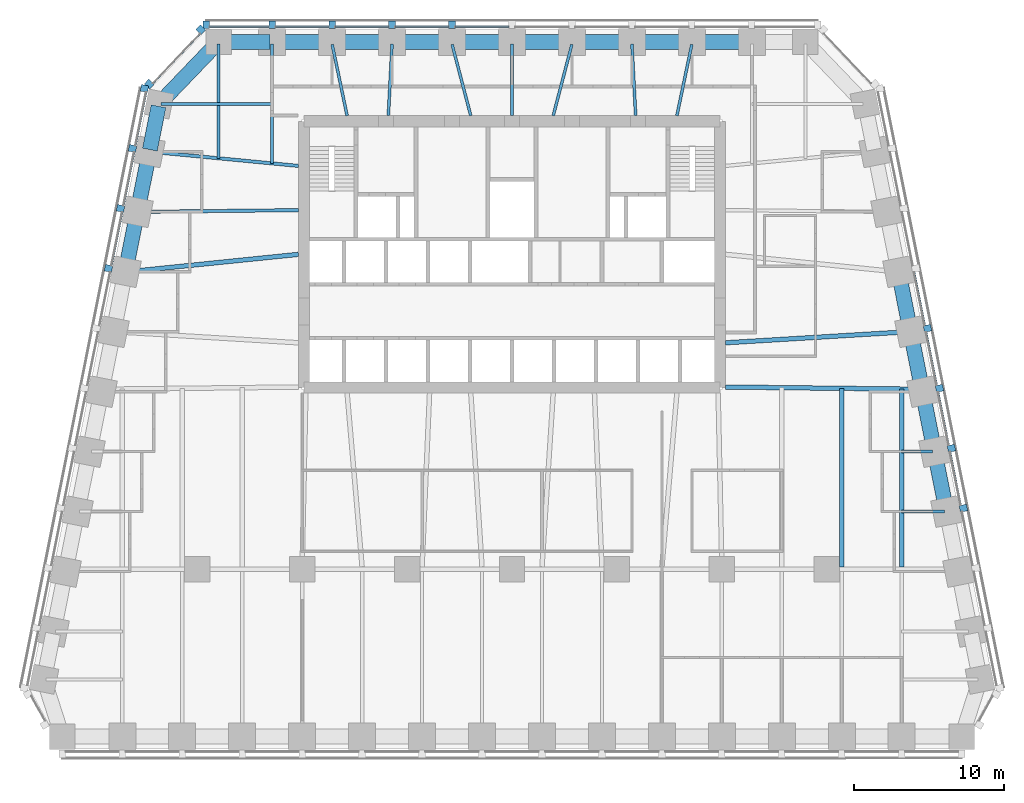
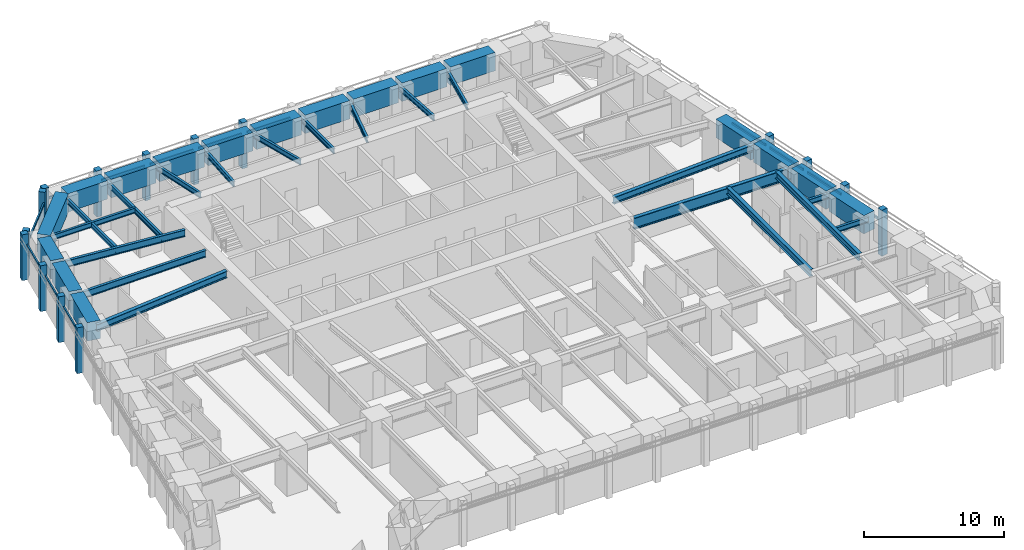
# One storey, part 3 of 10: 36 beams, 28 members, 4 elements without a shape of their own.
"""IFC4 building model written with IfcOpenShell, lengths in metres."""

from ifc_helpers import new_model, si_unit, direction, frame, origin, origin_2d, place, context, subcontext, project, spatial, rectangle, i_section, extrude, material, material_profile, profile_set, type_object, element, aggregate, save


model = new_model("IFC4")

# Units and contexts
model_context = context("Model", 3, precision=1e-05, world=origin(), true_north=direction((0.0, 1.0)))
body_context = subcontext(model_context, "Body", "Model", "MODEL_VIEW")
ifc_project = project(units=[si_unit("LENGTHUNIT", "METRE"), si_unit("AREAUNIT", "SQUARE_METRE"), si_unit("VOLUMEUNIT", "CUBIC_METRE"), si_unit("PLANEANGLEUNIT", "RADIAN"), si_unit("MASSUNIT", "GRAM", prefix="KILO")], contexts=[model_context])

# Site, building, storey
site_placement = place(None, origin())
site = spatial("IfcSite", under=ifc_project, at=site_placement, CompositionType="ELEMENT")
building_placement = place(site_placement, origin())
building = spatial("IfcBuilding", under=site, at=building_placement, Name="Isbrekke Arena Tower", CompositionType="ELEMENT")
storey_placement = place(building_placement, frame((0.0, 0.0, 159.0)))
storey = spatial("IfcBuildingStorey", under=building, at=storey_placement, Name="L36", CompositionType="ELEMENT", Elevation=159.0)

# Beams
ifc_material_1 = material(Name="Steel S355", Category="steel")
ifc_material_profile_1 = material_profile(ifc_material_1, i_section(OverallWidth=0.219970703125, OverallDepth=0.60009765625, WebThickness=0.011962890625, FlangeThickness=0.01904296875, FilletRadius=0.02392578125, at=origin_2d()), Name="IPE 600")
ifc_profile_set_1 = profile_set([ifc_material_profile_1], Name="Steel S355")
beam_type_1 = type_object("IfcBeamType", Name="B1 IPE 600", PredefinedType="BEAM", material=ifc_profile_set_1)
beam_1_placement = place(storey_placement, frame((-24.030517578125, 21.837158203125, 3.550048828125), z_axis=(0.995439798606, -0.095391862082, 0.0), x_axis=(0.095391862082, 0.995439798606, 0.0)))
element("IfcBeam", 1, at=beam_1_placement, inside=storey, type_object=beam_type_1, Name="B1 beam E-W02 L36", PredefinedType="BEAM", context=body_context, shape_type="SweptSolid", body=[
    extrude(i_section(OverallWidth=0.219970703125, OverallDepth=0.60009765625, WebThickness=0.011962890625, FlangeThickness=0.01904296875, FilletRadius=0.02392578125, at=origin_2d()), origin(), (0.0, 0.0, 1.0), 9.825439453125),
])
beam_2_placement = place(storey_placement, frame((-24.83984375, 17.838134765625, 3.550048828125), z_axis=(0.999944260169, 0.010558245831, 0.0), x_axis=(-0.010558245831, 0.999944260169, 0.0)))
element("IfcBeam", 2, at=beam_2_placement, inside=storey, type_object=beam_type_1, Name="B1 beam E-W03 L36", PredefinedType="BEAM", context=body_context, shape_type="SweptSolid", body=[
    extrude(i_section(OverallWidth=0.219970703125, OverallDepth=0.60009765625, WebThickness=0.011962890625, FlangeThickness=0.01904296875, FilletRadius=0.02392578125, at=origin_2d()), origin(), (0.0, 0.0, 1.0), 10.59033203125),
])
ifc_material_2 = material(Name="Steel S355", Category="steel")
ifc_material_profile_2 = material_profile(ifc_material_2, i_section(OverallWidth=0.18994140625, OverallDepth=0.449951171875, WebThickness=0.009521484375, FlangeThickness=0.0146484375, FilletRadius=0.02099609375, at=origin_2d()), Name="IPE 450")
ifc_profile_set_2 = profile_set([ifc_material_profile_2], Name="Steel S355")
beam_type_2 = type_object("IfcBeamType", Name="B2 IPE 450", PredefinedType="BEAM", material=ifc_profile_set_2)
beam_3_placement = place(storey_placement, frame((28.841064453125, -2.161865234375, 3.625), z_axis=(-1.0, 0.0, 0.0), x_axis=(0.0, -1.0, 0.0)))
element("IfcBeam", 3, at=beam_3_placement, inside=storey, type_object=beam_type_2, Name="B2 beam E-E04 L36", PredefinedType="BEAM", context=body_context, shape_type="SweptSolid", body=[
    extrude(i_section(OverallWidth=0.18994140625, OverallDepth=0.449951171875, WebThickness=0.009521484375, FlangeThickness=0.0146484375, FilletRadius=0.02099609375, at=origin_2d()), origin(), (0.0, 0.0, 1.0), 2.841064453125),
])
beam_4_placement = place(storey_placement, frame((28.041015625, 1.838134765625, 3.625), z_axis=(-1.0, 0.0, 0.0), x_axis=(0.0, -1.0, 0.0)))
element("IfcBeam", 4, at=beam_4_placement, inside=storey, type_object=beam_type_2, Name="B2 beam E-E05 L36", PredefinedType="BEAM", context=body_context, shape_type="SweptSolid", body=[
    extrude(i_section(OverallWidth=0.18994140625, OverallDepth=0.449951171875, WebThickness=0.009521484375, FlangeThickness=0.0146484375, FilletRadius=0.02099609375, at=origin_2d()), origin(), (0.0, 0.0, 1.0), 2.041015625),
])
beam_5_placement = place(storey_placement, frame((-23.40283203125, 25.029296875, 3.625), z_axis=(1.0, 0.0, 0.0), x_axis=(0.0, 1.0, 0.0)))
element("IfcBeam", 5, at=beam_5_placement, inside=storey, type_object=beam_type_2, Name="B2 beam E-W01 L36", PredefinedType="BEAM", context=body_context, shape_type="SweptSolid", body=[
    extrude(i_section(OverallWidth=0.18994140625, OverallDepth=0.449951171875, WebThickness=0.009521484375, FlangeThickness=0.0146484375, FilletRadius=0.02099609375, at=origin_2d()), origin(), (0.0, 0.0, 1.0), 7.40283203125),
])
ifc_material_3 = material(Name="Steel S355", Category="steel")
ifc_material_profile_3 = material_profile(ifc_material_3, i_section(OverallWidth=0.18994140625, OverallDepth=0.449951171875, WebThickness=0.009521484375, FlangeThickness=0.0146484375, FilletRadius=0.02099609375, at=origin_2d()), Name="IPE 450")
ifc_profile_set_3 = profile_set([ifc_material_profile_3], Name="Steel S355")
beam_type_3 = type_object("IfcBeamType", Name="B3 IPE 450", PredefinedType="BEAM", material=ifc_profile_set_3)
beam_6_placement = place(storey_placement, frame((-16.0, 29.02490234375, 3.625), z_axis=(0.0, -1.0, 0.0), x_axis=(1.0, 0.0, 0.0)))
element("IfcBeam", 6, at=beam_6_placement, inside=storey, type_object=beam_type_3, Name="B3 beam N-N10 L36", PredefinedType="BEAM", context=body_context, shape_type="SweptSolid", body=[
    extrude(i_section(OverallWidth=0.18994140625, OverallDepth=0.449951171875, WebThickness=0.009521484375, FlangeThickness=0.0146484375, FilletRadius=0.02099609375, at=origin_2d()), origin(), (0.0, 0.0, 1.0), 7.957275390625),
])
beam_7_placement = place(storey_placement, frame((-19.574951171875, 29.02490234375, 3.625), z_axis=(0.0, -1.0, 0.0), x_axis=(1.0, 0.0, 0.0)))
element("IfcBeam", 7, at=beam_7_placement, inside=storey, type_object=beam_type_3, Name="B3 beam N-N11 L36", PredefinedType="BEAM", context=body_context, shape_type="SweptSolid", body=[
    extrude(i_section(OverallWidth=0.18994140625, OverallDepth=0.449951171875, WebThickness=0.009521484375, FlangeThickness=0.0146484375, FilletRadius=0.02099609375, at=origin_2d()), origin(), (0.0, 0.0, 1.0), 7.61474609375),
])
beam_8_placement = place(storey_placement, frame((11.99609375, 29.005859375, 3.625), z_axis=(-0.20499748459, -0.978762499952, 0.0), x_axis=(0.978762499952, -0.20499748459, 0.0)))
element("IfcBeam", 8, at=beam_8_placement, inside=storey, type_object=beam_type_3, Name="B3 beam N-N03 L36", PredefinedType="BEAM", context=body_context, shape_type="SweptSolid", body=[
    extrude(i_section(OverallWidth=0.18994140625, OverallDepth=0.449951171875, WebThickness=0.009521484375, FlangeThickness=0.0146484375, FilletRadius=0.02099609375, at=origin_2d()), origin(), (0.0, 0.0, 1.0), 4.859130859375),
])
beam_9_placement = place(storey_placement, frame((8.000244140625, 29.02001953125, 3.625), z_axis=(0.052287879538, -0.998632053187, 0.0), x_axis=(0.998632053187, 0.052287879538, 0.0)))
element("IfcBeam", 9, at=beam_9_placement, inside=storey, type_object=beam_type_3, Name="B3 beam N-N04 L36", PredefinedType="BEAM", context=body_context, shape_type="SweptSolid", body=[
    extrude(i_section(OverallWidth=0.18994140625, OverallDepth=0.449951171875, WebThickness=0.009521484375, FlangeThickness=0.0146484375, FilletRadius=0.02099609375, at=origin_2d()), origin(), (0.0, 0.0, 1.0), 4.776611328125),
])
beam_10_placement = place(storey_placement, frame((3.993896484375, 29.001708984375, 3.625), z_axis=(-0.253245319824, -0.967402092197, 0.0), x_axis=(0.967402092197, -0.253245319824, 0.0)))
element("IfcBeam", 10, at=beam_10_placement, inside=storey, type_object=beam_type_3, Name="B3 beam N-N05 L36", PredefinedType="BEAM", context=body_context, shape_type="SweptSolid", body=[
    extrude(i_section(OverallWidth=0.18994140625, OverallDepth=0.449951171875, WebThickness=0.009521484375, FlangeThickness=0.0146484375, FilletRadius=0.02099609375, at=origin_2d()), origin(), (0.0, 0.0, 1.0), 4.911865234375),
])
beam_11_placement = place(storey_placement, frame((0.0, 29.02490234375, 3.625), z_axis=(0.0, -1.0, 0.0), x_axis=(1.0, 0.0, 0.0)))
element("IfcBeam", 11, at=beam_11_placement, inside=storey, type_object=beam_type_3, Name="B3 beam N-N06 L36", PredefinedType="BEAM", context=body_context, shape_type="SweptSolid", body=[
    extrude(i_section(OverallWidth=0.18994140625, OverallDepth=0.449951171875, WebThickness=0.009521484375, FlangeThickness=0.0146484375, FilletRadius=0.02099609375, at=origin_2d()), origin(), (0.0, 0.0, 1.0), 4.77490234375),
])
beam_12_placement = place(storey_placement, frame((-3.993896484375, 29.001708984375, 3.625), z_axis=(0.253245319824, -0.967402092197, 0.0), x_axis=(0.967402092197, 0.253245319824, 0.0)))
element("IfcBeam", 12, at=beam_12_placement, inside=storey, type_object=beam_type_3, Name="B3 beam N-N07 L36", PredefinedType="BEAM", context=body_context, shape_type="SweptSolid", body=[
    extrude(i_section(OverallWidth=0.18994140625, OverallDepth=0.449951171875, WebThickness=0.009521484375, FlangeThickness=0.0146484375, FilletRadius=0.02099609375, at=origin_2d()), origin(), (0.0, 0.0, 1.0), 4.911865234375),
])
beam_13_placement = place(storey_placement, frame((-8.000244140625, 29.02001953125, 3.625), z_axis=(-0.052287879538, -0.998632053187, 0.0), x_axis=(0.998632053187, -0.052287879538, 0.0)))
element("IfcBeam", 13, at=beam_13_placement, inside=storey, type_object=beam_type_3, Name="B3 beam N-N08 L36", PredefinedType="BEAM", context=body_context, shape_type="SweptSolid", body=[
    extrude(i_section(OverallWidth=0.18994140625, OverallDepth=0.449951171875, WebThickness=0.009521484375, FlangeThickness=0.0146484375, FilletRadius=0.02099609375, at=origin_2d()), origin(), (0.0, 0.0, 1.0), 4.776611328125),
])
beam_14_placement = place(storey_placement, frame((-11.99609375, 29.005859375, 3.625), z_axis=(0.20499748459, -0.978762499952, 0.0), x_axis=(0.978762499952, 0.20499748459, 0.0)))
element("IfcBeam", 14, at=beam_14_placement, inside=storey, type_object=beam_type_3, Name="B3 beam N-N09 L36", PredefinedType="BEAM", context=body_context, shape_type="SweptSolid", body=[
    extrude(i_section(OverallWidth=0.18994140625, OverallDepth=0.449951171875, WebThickness=0.009521484375, FlangeThickness=0.0146484375, FilletRadius=0.02099609375, at=origin_2d()), origin(), (0.0, 0.0, 1.0), 4.859130859375),
])
ifc_material_4 = material(Name="Steel S355", Category="steel")
ifc_material_profile_4 = material_profile(ifc_material_4, i_section(OverallWidth=0.300048828125, OverallDepth=0.60009765625, WebThickness=0.015380859375, FlangeThickness=0.030029296875, FilletRadius=0.027099609375, at=origin_2d()), Name="HEB 600")
ifc_profile_set_4 = profile_set([ifc_material_profile_4], Name="Steel S355")
beam_type_4 = type_object("IfcBeamType", Name="B7 HEB 600", PredefinedType="BEAM", material=ifc_profile_set_4)
beam_15_placement = place(storey_placement, frame((22.0, -5.84912109375, 3.550048828125), z_axis=(0.0, 1.0, 0.0), x_axis=(-1.0, 0.0, 0.0)))
element("IfcBeam", 15, at=beam_15_placement, inside=storey, type_object=beam_type_4, Name="B7 beam C-M13 L36", PredefinedType="BEAM", context=body_context, shape_type="SweptSolid", body=[
    extrude(i_section(OverallWidth=0.300048828125, OverallDepth=0.60009765625, WebThickness=0.015380859375, FlangeThickness=0.030029296875, FilletRadius=0.027099609375, at=origin_2d()), origin(), (0.0, 0.0, 1.0), 11.91064453125),
])
beam_16_placement = place(storey_placement, frame((26.0, -5.84912109375, 3.550048828125), z_axis=(0.0, 1.0, 0.0), x_axis=(-1.0, 0.0, 0.0)))
element("IfcBeam", 16, at=beam_16_placement, inside=storey, type_object=beam_type_4, Name="B7 beam C-M14 L36", PredefinedType="BEAM", context=body_context, shape_type="SweptSolid", body=[
    extrude(i_section(OverallWidth=0.300048828125, OverallDepth=0.60009765625, WebThickness=0.015380859375, FlangeThickness=0.030029296875, FilletRadius=0.027099609375, at=origin_2d()), origin(), (0.0, 0.0, 1.0), 11.864990234375),
])
beam_17_placement = place(storey_placement, frame((26.431884765625, 9.837646484375, 3.550048828125), z_axis=(-0.998172191876, -0.060434057993, 0.0), x_axis=(0.060434057993, -0.998172191876, 0.0)))
element("IfcBeam", 17, at=beam_17_placement, inside=storey, type_object=beam_type_4, Name="B7 beam E-E07 L36", PredefinedType="BEAM", context=body_context, shape_type="SweptSolid", body=[
    extrude(i_section(OverallWidth=0.300048828125, OverallDepth=0.60009765625, WebThickness=0.015380859375, FlangeThickness=0.030029296875, FilletRadius=0.027099609375, at=origin_2d()), origin(), (0.0, 0.0, 1.0), 12.2041015625),
])
beam_18_placement = place(storey_placement, frame((-25.6259765625, 13.83984375, 3.550048828125), z_axis=(0.994839949319, 0.10145676537, 0.0), x_axis=(-0.10145676537, 0.994839949319, 0.0)))
element("IfcBeam", 18, at=beam_18_placement, inside=storey, type_object=beam_type_4, Name="B7 beam E-W04 L36", PredefinedType="BEAM", context=body_context, shape_type="SweptSolid", body=[
    extrude(i_section(OverallWidth=0.300048828125, OverallDepth=0.60009765625, WebThickness=0.015380859375, FlangeThickness=0.030029296875, FilletRadius=0.027099609375, at=origin_2d()), origin(), (0.0, 0.0, 1.0), 11.43505859375),
])

# Curtain wall, members
ifc_material_5 = material(Name="Glazed aluminium curtain wall", Category="aluminium")
curtain_wall_type = type_object("IfcCurtainWallType", Name="CWM TOWER CURTAIN WALL MID ZONE", PredefinedType="USERDEFINED", material=ifc_material_5)
curtain_wall_1_placement = place(storey_placement, origin())
curtain_wall_1 = element("IfcCurtainWall", 19, at=curtain_wall_1_placement, inside=storey, type_object=curtain_wall_type, Name="CWM curtain wall L36-E", ObjectType="TOWER CURTAIN WALL MID ZONE", PredefinedType="USERDEFINED")
ifc_material_6 = material(Name="Aluminium mullion, pale brick slip cladding", Category="masonry")
ifc_material_profile_5 = material_profile(ifc_material_6, rectangle(XDim=0.449951171875, YDim=0.5, at=origin_2d()), Name="PIER 450X500")
ifc_profile_set_5 = profile_set([ifc_material_profile_5], Name="Aluminium mullion, pale brick slip cladding")
member_type_1 = type_object("IfcMemberType", Name="CWM-M PIER MULLION 450 x 500", PredefinedType="MULLION", material=ifc_profile_set_5)
member_1_placement = place(storey_placement, frame((30.11865234375, -1.936279296875, 0.0), z_axis=(0.0, 0.0, 1.0), x_axis=(-0.196116135138, 0.980580675691, 0.0)))
member_1 = element("IfcMember", 20, at=member_1_placement, type_object=member_type_1, Name="CWM-M mullion 4", PredefinedType="MULLION", context=body_context, shape_type="SweptSolid", body=[
    extrude(rectangle(XDim=0.449951171875, YDim=0.5, at=origin_2d()), origin(), (0.0, 0.0, 1.0), 4.0),
])
member_2_placement = place(storey_placement, frame((29.318603515625, 2.063720703125, 0.0), z_axis=(0.0, 0.0, 1.0), x_axis=(-0.196116135138, 0.980580675691, 0.0)))
member_2 = element("IfcMember", 21, at=member_2_placement, type_object=member_type_1, Name="CWM-M mullion 5", PredefinedType="MULLION", context=body_context, shape_type="SweptSolid", body=[
    extrude(rectangle(XDim=0.449951171875, YDim=0.5, at=origin_2d()), origin(), (0.0, 0.0, 1.0), 4.0),
])
member_3_placement = place(storey_placement, frame((28.518798828125, 6.063720703125, 0.0), z_axis=(0.0, 0.0, 1.0), x_axis=(-0.196116135138, 0.980580675691, 0.0)))
member_3 = element("IfcMember", 22, at=member_3_placement, type_object=member_type_1, Name="CWM-M mullion 6", PredefinedType="MULLION", context=body_context, shape_type="SweptSolid", body=[
    extrude(rectangle(XDim=0.449951171875, YDim=0.5, at=origin_2d()), origin(), (0.0, 0.0, 1.0), 4.0),
])
member_4_placement = place(storey_placement, frame((27.71875, 10.063720703125, 0.0), z_axis=(0.0, 0.0, 1.0), x_axis=(-0.196116135138, 0.980580675691, 0.0)))
member_4 = element("IfcMember", 23, at=member_4_placement, type_object=member_type_1, Name="CWM-M mullion 7", PredefinedType="MULLION", context=body_context, shape_type="SweptSolid", body=[
    extrude(rectangle(XDim=0.449951171875, YDim=0.5, at=origin_2d()), origin(), (0.0, 0.0, 1.0), 4.0),
])

curtain_wall_2_placement = place(storey_placement, origin())
curtain_wall_2 = element("IfcCurtainWall", 24, at=curtain_wall_2_placement, inside=storey, type_object=curtain_wall_type, Name="CWM curtain wall L36-N", ObjectType="TOWER CURTAIN WALL MID ZONE", PredefinedType="USERDEFINED")
member_5_placement = place(storey_placement, frame((-4.0, 30.324951171875, 0.0), z_axis=(0.0, 0.0, 1.0), x_axis=(-1.0, 0.0, 0.0)))
member_5 = element("IfcMember", 25, at=member_5_placement, type_object=member_type_1, Name="CWM-M mullion 7", PredefinedType="MULLION", context=body_context, shape_type="SweptSolid", body=[
    extrude(rectangle(XDim=0.449951171875, YDim=0.5, at=origin_2d()), origin(), (0.0, 0.0, 1.0), 4.0),
])
member_6_placement = place(storey_placement, frame((-8.0, 30.324951171875, 0.0), z_axis=(0.0, 0.0, 1.0), x_axis=(-1.0, 0.0, 0.0)))
member_6 = element("IfcMember", 26, at=member_6_placement, type_object=member_type_1, Name="CWM-M mullion 8", PredefinedType="MULLION", context=body_context, shape_type="SweptSolid", body=[
    extrude(rectangle(XDim=0.449951171875, YDim=0.5, at=origin_2d()), origin(), (0.0, 0.0, 1.0), 4.0),
])
member_7_placement = place(storey_placement, frame((-12.0, 30.324951171875, 0.0), z_axis=(0.0, 0.0, 1.0), x_axis=(-1.0, 0.0, 0.0)))
member_7 = element("IfcMember", 27, at=member_7_placement, type_object=member_type_1, Name="CWM-M mullion 9", PredefinedType="MULLION", context=body_context, shape_type="SweptSolid", body=[
    extrude(rectangle(XDim=0.449951171875, YDim=0.5, at=origin_2d()), origin(), (0.0, 0.0, 1.0), 4.0),
])
member_8_placement = place(storey_placement, frame((-16.0, 30.324951171875, 0.0), z_axis=(0.0, 0.0, 1.0), x_axis=(-1.0, 0.0, 0.0)))
member_8 = element("IfcMember", 28, at=member_8_placement, type_object=member_type_1, Name="CWM-M mullion 10", PredefinedType="MULLION", context=body_context, shape_type="SweptSolid", body=[
    extrude(rectangle(XDim=0.449951171875, YDim=0.5, at=origin_2d()), origin(), (0.0, 0.0, 1.0), 4.0),
])
member_9_placement = place(storey_placement, frame((-20.39990234375, 30.324951171875, 0.0), z_axis=(0.0, 0.0, 1.0), x_axis=(-1.0, 0.0, 0.0)))
member_9 = element("IfcMember", 29, at=member_9_placement, type_object=member_type_1, Name="CWM-M mullion 11", PredefinedType="MULLION", context=body_context, shape_type="SweptSolid", body=[
    extrude(rectangle(XDim=0.449951171875, YDim=0.5, at=origin_2d()), origin(), (0.0, 0.0, 1.0), 4.0),
])

curtain_wall_3_placement = place(storey_placement, origin())
curtain_wall_3 = element("IfcCurtainWall", 30, at=curtain_wall_3_placement, inside=storey, type_object=curtain_wall_type, Name="CWM curtain wall L36-NW", ObjectType="TOWER CURTAIN WALL MID ZONE", PredefinedType="USERDEFINED")
member_10_placement = place(storey_placement, frame((-20.759033203125, 29.985107421875, 0.0), z_axis=(0.0, 0.0, 1.0), x_axis=(-0.68874946192, -0.72499943359, 0.0)))
member_10 = element("IfcMember", 31, at=member_10_placement, type_object=member_type_1, Name="CWM-M mullion 1", PredefinedType="MULLION", context=body_context, shape_type="SweptSolid", body=[
    extrude(rectangle(XDim=0.449951171875, YDim=0.5, at=origin_2d()), origin(), (0.0, 0.0, 1.0), 4.0),
])
member_11_placement = place(storey_placement, frame((-24.207763671875, 26.35498046875, 0.0), z_axis=(0.0, 0.0, 1.0), x_axis=(-0.68874946192, -0.72499943359, 0.0)))
member_11 = element("IfcMember", 32, at=member_11_placement, type_object=member_type_1, Name="CWM-M mullion 2", PredefinedType="MULLION", context=body_context, shape_type="SweptSolid", body=[
    extrude(rectangle(XDim=0.449951171875, YDim=0.5, at=origin_2d()), origin(), (0.0, 0.0, 1.0), 4.0),
])

curtain_wall_4_placement = place(storey_placement, origin())
curtain_wall_4 = element("IfcCurtainWall", 33, at=curtain_wall_4_placement, inside=storey, type_object=curtain_wall_type, Name="CWM curtain wall L36-W", ObjectType="TOWER CURTAIN WALL MID ZONE", PredefinedType="USERDEFINED")
member_12_placement = place(storey_placement, frame((-24.518798828125, 26.063720703125, 0.0), z_axis=(0.0, 0.0, 1.0), x_axis=(-0.196116135138, -0.980580675691, 0.0)))
member_12 = element("IfcMember", 34, at=member_12_placement, type_object=member_type_1, Name="CWM-M mullion 1", PredefinedType="MULLION", context=body_context, shape_type="SweptSolid", body=[
    extrude(rectangle(XDim=0.449951171875, YDim=0.5, at=origin_2d()), origin(), (0.0, 0.0, 1.0), 4.0),
])
member_13_placement = place(storey_placement, frame((-25.318603515625, 22.063720703125, 0.0), z_axis=(0.0, 0.0, 1.0), x_axis=(-0.196116135138, -0.980580675691, 0.0)))
member_13 = element("IfcMember", 35, at=member_13_placement, type_object=member_type_1, Name="CWM-M mullion 2", PredefinedType="MULLION", context=body_context, shape_type="SweptSolid", body=[
    extrude(rectangle(XDim=0.449951171875, YDim=0.5, at=origin_2d()), origin(), (0.0, 0.0, 1.0), 4.0),
])
member_14_placement = place(storey_placement, frame((-26.11865234375, 18.063720703125, 0.0), z_axis=(0.0, 0.0, 1.0), x_axis=(-0.196116135138, -0.980580675691, 0.0)))
member_14 = element("IfcMember", 36, at=member_14_placement, type_object=member_type_1, Name="CWM-M mullion 3", PredefinedType="MULLION", context=body_context, shape_type="SweptSolid", body=[
    extrude(rectangle(XDim=0.449951171875, YDim=0.5, at=origin_2d()), origin(), (0.0, 0.0, 1.0), 4.0),
])
member_15_placement = place(storey_placement, frame((-26.918701171875, 14.063720703125, 0.0), z_axis=(0.0, 0.0, 1.0), x_axis=(-0.196116135138, -0.980580675691, 0.0)))
member_15 = element("IfcMember", 37, at=member_15_placement, type_object=member_type_1, Name="CWM-M mullion 4", PredefinedType="MULLION", context=body_context, shape_type="SweptSolid", body=[
    extrude(rectangle(XDim=0.449951171875, YDim=0.5, at=origin_2d()), origin(), (0.0, 0.0, 1.0), 4.0),
])

# Member
ifc_material_7 = material(Name="Aluminium transom", Category="aluminium")
ifc_material_profile_6 = material_profile(ifc_material_7, rectangle(XDim=0.1201171875, YDim=0.199951171875, at=origin_2d()), Name="TRANSOM 120X200")
ifc_profile_set_6 = profile_set([ifc_material_profile_6], Name="Aluminium transom")
member_type_2 = type_object("IfcMemberType", Name="CWM-T TRANSOM 120 x 200", PredefinedType="USERDEFINED", material=ifc_profile_set_6)
member_16_placement = place(storey_placement, frame((29.927490234375, -1.7451171875, 3.0), z_axis=(-0.196090262229, 0.980585849918, 0.0), x_axis=(-0.980585849918, -0.196090262229, 0.0)))
member_16 = element("IfcMember", 38, at=member_16_placement, type_object=member_type_2, Name="CWM-T transom 4", ObjectType="TRANSOM", PredefinedType="USERDEFINED", context=body_context, shape_type="SweptSolid", body=[
    extrude(rectangle(XDim=0.1201171875, YDim=0.199951171875, at=origin_2d()), origin(), (0.0, 0.0, 1.0), 3.62939453125),
])

member_17_placement = place(storey_placement, frame((29.12744140625, 2.2548828125, 3.0), z_axis=(-0.196090262229, 0.980585849918, 0.0), x_axis=(-0.980585849918, -0.196090262229, 0.0)))
member_17 = element("IfcMember", 39, at=member_17_placement, type_object=member_type_2, Name="CWM-T transom 5", ObjectType="TRANSOM", PredefinedType="USERDEFINED", context=body_context, shape_type="SweptSolid", body=[
    extrude(rectangle(XDim=0.1201171875, YDim=0.199951171875, at=origin_2d()), origin(), (0.0, 0.0, 1.0), 3.62939453125),
])

member_18_placement = place(storey_placement, frame((28.327392578125, 6.2548828125, 3.0), z_axis=(-0.196090262229, 0.980585849918, 0.0), x_axis=(-0.980585849918, -0.196090262229, 0.0)))
member_18 = element("IfcMember", 40, at=member_18_placement, type_object=member_type_2, Name="CWM-T transom 6", ObjectType="TRANSOM", PredefinedType="USERDEFINED", context=body_context, shape_type="SweptSolid", body=[
    extrude(rectangle(XDim=0.1201171875, YDim=0.199951171875, at=origin_2d()), origin(), (0.0, 0.0, 1.0), 3.62939453125),
])

member_19_placement = place(storey_placement, frame((27.527587890625, 10.2548828125, 3.0), z_axis=(-0.196154943734, 0.980572913173, 0.0), x_axis=(-0.980572913173, -0.196154943734, 0.0)))
member_19 = element("IfcMember", 41, at=member_19_placement, type_object=member_type_2, Name="CWM-T transom 7", ObjectType="TRANSOM", PredefinedType="USERDEFINED", context=body_context, shape_type="SweptSolid", body=[
    extrude(rectangle(XDim=0.1201171875, YDim=0.199951171875, at=origin_2d()), origin(), (0.0, 0.0, 1.0), 3.62939453125),
])

aggregate(curtain_wall_1, [member_1, member_2, member_3, member_4, member_16, member_17, member_18, member_19])

member_20_placement = place(storey_placement, frame((-0.22509765625, 30.175048828125, 3.0), z_axis=(-1.0, 0.0, 0.0), x_axis=(0.0, -1.0, 0.0)))
member_20 = element("IfcMember", 42, at=member_20_placement, type_object=member_type_2, Name="CWM-T transom 6", ObjectType="TRANSOM", PredefinedType="USERDEFINED", context=body_context, shape_type="SweptSolid", body=[
    extrude(rectangle(XDim=0.1201171875, YDim=0.199951171875, at=origin_2d()), origin(), (0.0, 0.0, 1.0), 3.5498046875),
])

member_21_placement = place(storey_placement, frame((-4.22509765625, 30.175048828125, 3.0), z_axis=(-1.0, 0.0, 0.0), x_axis=(0.0, -1.0, 0.0)))
member_21 = element("IfcMember", 43, at=member_21_placement, type_object=member_type_2, Name="CWM-T transom 7", ObjectType="TRANSOM", PredefinedType="USERDEFINED", context=body_context, shape_type="SweptSolid", body=[
    extrude(rectangle(XDim=0.1201171875, YDim=0.199951171875, at=origin_2d()), origin(), (0.0, 0.0, 1.0), 3.5498046875),
])

member_22_placement = place(storey_placement, frame((-8.22509765625, 30.175048828125, 3.0), z_axis=(-1.0, 0.0, 0.0), x_axis=(0.0, -1.0, 0.0)))
member_22 = element("IfcMember", 44, at=member_22_placement, type_object=member_type_2, Name="CWM-T transom 8", ObjectType="TRANSOM", PredefinedType="USERDEFINED", context=body_context, shape_type="SweptSolid", body=[
    extrude(rectangle(XDim=0.1201171875, YDim=0.199951171875, at=origin_2d()), origin(), (0.0, 0.0, 1.0), 3.5498046875),
])

member_23_placement = place(storey_placement, frame((-12.22509765625, 30.175048828125, 3.0), z_axis=(-1.0, 0.0, 0.0), x_axis=(0.0, -1.0, 0.0)))
member_23 = element("IfcMember", 45, at=member_23_placement, type_object=member_type_2, Name="CWM-T transom 9", ObjectType="TRANSOM", PredefinedType="USERDEFINED", context=body_context, shape_type="SweptSolid", body=[
    extrude(rectangle(XDim=0.1201171875, YDim=0.199951171875, at=origin_2d()), origin(), (0.0, 0.0, 1.0), 3.5498046875),
])

member_24_placement = place(storey_placement, frame((-16.22509765625, 30.175048828125, 3.0), z_axis=(-1.0, 0.0, 0.0), x_axis=(0.0, -1.0, 0.0)))
member_24 = element("IfcMember", 46, at=member_24_placement, type_object=member_type_2, Name="CWM-T transom 10", ObjectType="TRANSOM", PredefinedType="USERDEFINED", context=body_context, shape_type="SweptSolid", body=[
    extrude(rectangle(XDim=0.1201171875, YDim=0.199951171875, at=origin_2d()), origin(), (0.0, 0.0, 1.0), 3.949951171875),
])

aggregate(curtain_wall_2, [member_5, member_6, member_7, member_8, member_9, member_20, member_21, member_22, member_23, member_24])

member_25_placement = place(storey_placement, frame((-20.80517578125, 29.71875, 3.0), z_axis=(-0.688739606035, -0.725008796552, 0.0), x_axis=(0.725008796552, -0.688739606035, 0.0)))
member_25 = element("IfcMember", 47, at=member_25_placement, type_object=member_type_2, Name="CWM-T transom 1", ObjectType="TRANSOM", PredefinedType="USERDEFINED", context=body_context, shape_type="SweptSolid", body=[
    extrude(rectangle(XDim=0.1201171875, YDim=0.199951171875, at=origin_2d()), origin(), (0.0, 0.0, 1.0), 4.55712890625),
])

aggregate(curtain_wall_3, [member_10, member_11, member_25])

member_26_placement = place(storey_placement, frame((-24.415771484375, 25.813720703125, 3.0), z_axis=(-0.196090262229, -0.980585849918, 0.0), x_axis=(0.980585849918, -0.196090262229, 0.0)))
member_26 = element("IfcMember", 48, at=member_26_placement, type_object=member_type_2, Name="CWM-T transom 1", ObjectType="TRANSOM", PredefinedType="USERDEFINED", context=body_context, shape_type="SweptSolid", body=[
    extrude(rectangle(XDim=0.1201171875, YDim=0.199951171875, at=origin_2d()), origin(), (0.0, 0.0, 1.0), 3.62939453125),
])

member_27_placement = place(storey_placement, frame((-25.2158203125, 21.813720703125, 3.0), z_axis=(-0.196090262229, -0.980585849918, 0.0), x_axis=(0.980585849918, -0.196090262229, 0.0)))
member_27 = element("IfcMember", 49, at=member_27_placement, type_object=member_type_2, Name="CWM-T transom 2", ObjectType="TRANSOM", PredefinedType="USERDEFINED", context=body_context, shape_type="SweptSolid", body=[
    extrude(rectangle(XDim=0.1201171875, YDim=0.199951171875, at=origin_2d()), origin(), (0.0, 0.0, 1.0), 3.62939453125),
])

member_28_placement = place(storey_placement, frame((-26.015625, 17.813720703125, 3.0), z_axis=(-0.196154943734, -0.980572913173, 0.0), x_axis=(0.980572913173, -0.196154943734, 0.0)))
member_28 = element("IfcMember", 50, at=member_28_placement, type_object=member_type_2, Name="CWM-T transom 3", ObjectType="TRANSOM", PredefinedType="USERDEFINED", context=body_context, shape_type="SweptSolid", body=[
    extrude(rectangle(XDim=0.1201171875, YDim=0.199951171875, at=origin_2d()), origin(), (0.0, 0.0, 1.0), 3.62939453125),
])

aggregate(curtain_wall_4, [member_12, member_13, member_14, member_15, member_26, member_27, member_28])

# Beams
ifc_material_8 = material(Name="Steel S355", Category="steel")
ifc_material_profile_7 = material_profile(ifc_material_8, i_section(OverallWidth=0.302001953125, OverallDepth=1.008056640625, WebThickness=0.02099609375, FlangeThickness=0.0400390625, FilletRadius=0.030029296875, at=origin_2d()), Name="HEM 1000")
ifc_profile_set_7 = profile_set([ifc_material_profile_7], Name="Steel S355")
beam_type_5 = type_object("IfcBeamType", Name="G2 HEM 1000", PredefinedType="BEAM", material=ifc_profile_set_7)
beam_19_placement = place(storey_placement, frame((14.25, 6.14990234375, 3.345947265625), z_axis=(0.999934928157, -0.011407867963, 0.0), x_axis=(0.011407867963, 0.999934928157, 0.0)))
element("IfcBeam", 51, at=beam_19_placement, inside=storey, type_object=beam_type_5, Name="G2 beam G2-E L36", PredefinedType="BEAM", context=body_context, shape_type="SweptSolid", body=[
    extrude(i_section(OverallWidth=0.302001953125, OverallDepth=1.008056640625, WebThickness=0.02099609375, FlangeThickness=0.0400390625, FilletRadius=0.030029296875, at=origin_2d()), origin(), (0.0, 0.0, 1.0), 13.140380859375),
])
ifc_material_9 = material(Name="Concrete B80 (C80/95)", Category="concrete")
ifc_material_profile_8 = material_profile(ifc_material_9, rectangle(XDim=1.0, YDim=1.60009765625, at=origin_2d()), Name="RC 1000x1600")
ifc_profile_set_8 = profile_set([ifc_material_profile_8], Name="Concrete B80 (C80/95)")
beam_type_6 = type_object("IfcBeamType", Name="SB2 RC 1000 x 1600", PredefinedType="SPANDREL", material=ifc_profile_set_8)
for number, where, z_axis, x_axis, name in (
    (52, (28.961669921875, -2.0146484375, 3.199951171875), (-0.196128558387, 0.980578190959, 0.0), (-0.980578190959, -0.196128558387, 0.0), "SB2 spandrel E04-E05 L36"),
    (53, (28.16162109375, 1.9853515625, 3.199951171875), (-0.196128558387, 0.980578190959, 0.0), (-0.980578190959, -0.196128558387, 0.0), "SB2 spandrel E05-E06 L36"),
    (54, (27.361572265625, 5.9853515625, 3.199951171875), (-0.196128558387, 0.980578190959, 0.0), (-0.980578190959, -0.196128558387, 0.0), "SB2 spandrel E06-E07 L36"),
):
    element("IfcBeam", number, at=place(storey_placement, frame(where, z_axis=z_axis, x_axis=x_axis)), inside=storey, type_object=beam_type_6, Name=name, PredefinedType="SPANDREL", context=body_context, shape_type="SweptSolid", body=[
        extrude(rectangle(XDim=1.0, YDim=1.60009765625, at=origin_2d()), origin(), (0.0, 0.0, 1.0), 3.779296875),
    ])
beam_20_placement = place(storey_placement, frame((26.5615234375, 9.9853515625, 3.199951171875), z_axis=(-0.1960664412, 0.980590613169, 0.0), x_axis=(-0.980590613169, -0.1960664412, 0.0)))
element("IfcBeam", 55, at=beam_20_placement, inside=storey, type_object=beam_type_6, Name="SB2 spandrel E07-E08 L36", PredefinedType="SPANDREL", context=body_context, shape_type="SweptSolid", body=[
    extrude(rectangle(XDim=1.0, YDim=1.60009765625, at=origin_2d()), origin(), (0.0, 0.0, 1.0), 3.779052734375),
])
for number, where, z_axis, x_axis, name in (
    (56, (15.85009765625, 29.175048828125, 3.199951171875), (-1.0, 0.0, 0.0), (0.0, -1.0, 0.0), "SB2 spandrel N02-N03 L36"),
    (57, (11.85009765625, 29.175048828125, 3.199951171875), (-1.0, 0.0, 0.0), (0.0, -1.0, 0.0), "SB2 spandrel N03-N04 L36"),
    (58, (7.85009765625, 29.175048828125, 3.199951171875), (-1.0, 0.0, 0.0), (0.0, -1.0, 0.0), "SB2 spandrel N04-N05 L36"),
    (59, (3.85009765625, 29.175048828125, 3.199951171875), (-1.0, 0.0, 0.0), (0.0, -1.0, 0.0), "SB2 spandrel N05-N06 L36"),
    (60, (-0.14990234375, 29.175048828125, 3.199951171875), (-1.0, 0.0, 0.0), (0.0, -1.0, 0.0), "SB2 spandrel N06-N07 L36"),
    (61, (-4.14990234375, 29.175048828125, 3.199951171875), (-1.0, 0.0, 0.0), (0.0, -1.0, 0.0), "SB2 spandrel N07-N08 L36"),
    (62, (-8.14990234375, 29.175048828125, 3.199951171875), (-1.0, 0.0, 0.0), (0.0, -1.0, 0.0), "SB2 spandrel N08-N09 L36"),
    (63, (-12.14990234375, 29.175048828125, 3.199951171875), (-1.0, 0.0, 0.0), (0.0, -1.0, 0.0), "SB2 spandrel N09-N10 L36"),
):
    element("IfcBeam", number, at=place(storey_placement, frame(where, z_axis=z_axis, x_axis=x_axis)), inside=storey, type_object=beam_type_6, Name=name, PredefinedType="SPANDREL", context=body_context, shape_type="SweptSolid", body=[
        extrude(rectangle(XDim=1.0, YDim=1.60009765625, at=origin_2d()), origin(), (0.0, 0.0, 1.0), 3.7001953125),
    ])
beam_21_placement = place(storey_placement, frame((-16.14990234375, 29.175048828125, 3.199951171875), z_axis=(-1.0, 0.0, 0.0), x_axis=(0.0, -1.0, 0.0)))
element("IfcBeam", 64, at=beam_21_placement, inside=storey, type_object=beam_type_6, Name="SB2 spandrel N10-N11 L36", PredefinedType="SPANDREL", context=body_context, shape_type="SweptSolid", body=[
    extrude(rectangle(XDim=1.0, YDim=1.60009765625, at=origin_2d()), origin(), (0.0, 0.0, 1.0), 3.275146484375),
])
beam_22_placement = place(storey_placement, frame((-19.678955078125, 29.066650390625, 3.199951171875), z_axis=(-0.692339547635, -0.721571861134, 0.0), x_axis=(0.721571861134, -0.692339547635, 0.0)))
element("IfcBeam", 65, at=beam_22_placement, inside=storey, type_object=beam_type_6, Name="SB2 spandrel N11-W01 L36", PredefinedType="SPANDREL", context=body_context, shape_type="SweptSolid", body=[
    extrude(rectangle(XDim=1.0, YDim=1.60009765625, at=origin_2d()), origin(), (0.0, 0.0, 1.0), 5.4453125),
])
beam_23_placement = place(storey_placement, frame((-23.582275390625, 24.882080078125, 3.199951171875), z_axis=(-0.196116135138, -0.980580675691, 0.0), x_axis=(0.980580675691, -0.196116135138, 0.0)))
element("IfcBeam", 66, at=beam_23_placement, inside=storey, type_object=beam_type_6, Name="SB2 spandrel W01-W02 L36", PredefinedType="SPANDREL", context=body_context, shape_type="SweptSolid", body=[
    extrude(rectangle(XDim=1.0, YDim=1.60009765625, at=origin_2d()), origin(), (0.0, 0.0, 1.0), 2.9541015625),
])
for number, where, z_axis, x_axis, name in (
    (67, (-24.220458984375, 21.691162109375, 3.199951171875), (-0.196128558387, -0.980578190959, 0.0), (0.980578190959, -0.196128558387, 0.0), "SB2 spandrel W02-W03 L36"),
    (68, (-25.0205078125, 17.691162109375, 3.199951171875), (-0.196128558387, -0.980578190959, 0.0), (0.980578190959, -0.196128558387, 0.0), "SB2 spandrel W03-W04 L36"),
):
    element("IfcBeam", number, at=place(storey_placement, frame(where, z_axis=z_axis, x_axis=x_axis)), inside=storey, type_object=beam_type_6, Name=name, PredefinedType="SPANDREL", context=body_context, shape_type="SweptSolid", body=[
        extrude(rectangle(XDim=1.0, YDim=1.60009765625, at=origin_2d()), origin(), (0.0, 0.0, 1.0), 3.779296875),
    ])

save(model, "model.ifc")
